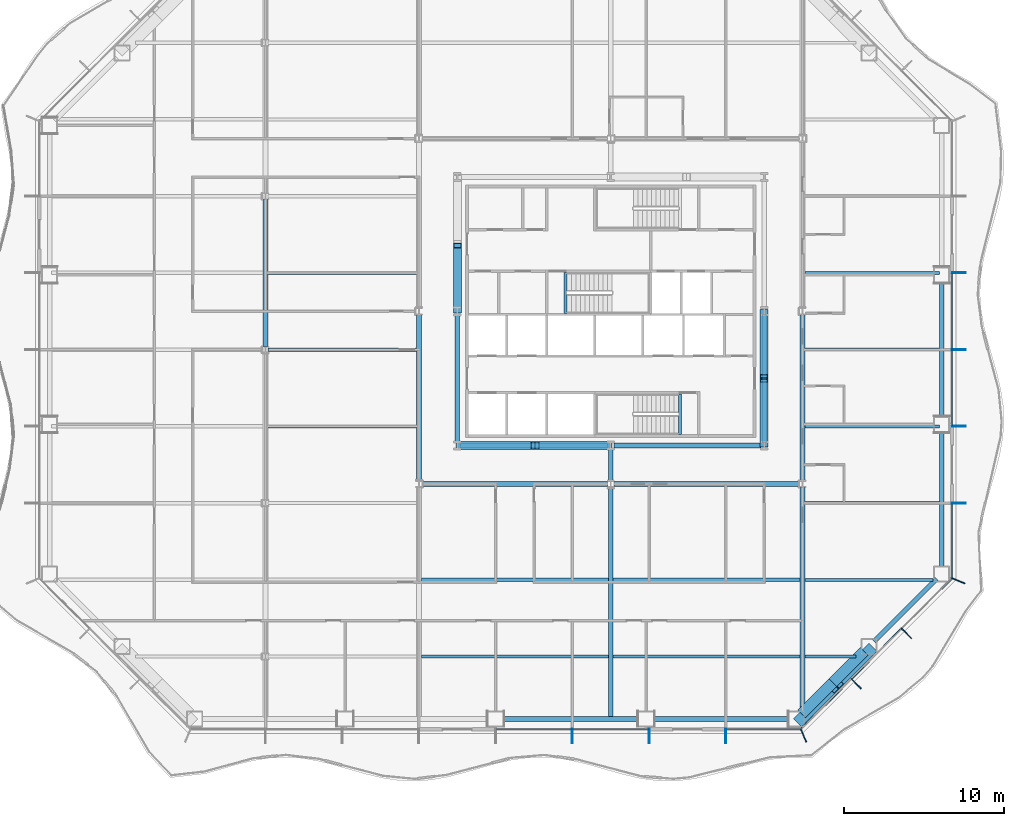
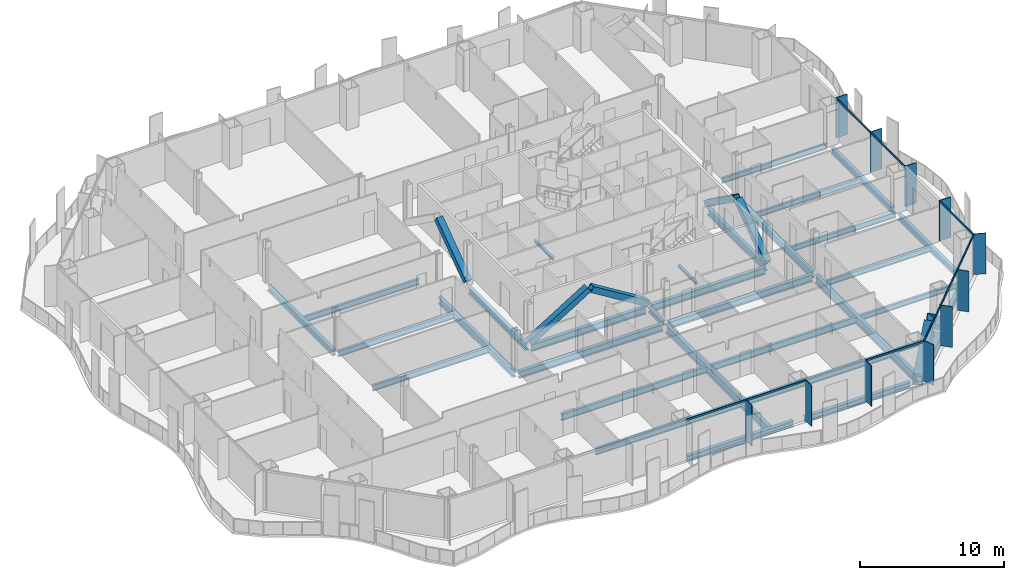
# One storey, part 2 of 21: 34 beams, 27 members, 3 elements without a shape of their own.
"""IFC4 building model written with IfcOpenShell, lengths in metres."""

from ifc_helpers import new_model, si_unit, direction, frame, origin, origin_2d, place, context, subcontext, project, spatial, rectangle, hollow_rectangle, i_section, extrude, material, material_profile, profile_set, type_object, element, aggregate, save


model = new_model("IFC4")

# Units and contexts
model_context = context("Model", 3, precision=1e-05, world=origin(), true_north=direction((0.0, 1.0)))
body_context = subcontext(model_context, "Body", "Model", "MODEL_VIEW")
ifc_project = project(units=[si_unit("LENGTHUNIT", "METRE"), si_unit("AREAUNIT", "SQUARE_METRE"), si_unit("VOLUMEUNIT", "CUBIC_METRE"), si_unit("PLANEANGLEUNIT", "RADIAN"), si_unit("MASSUNIT", "GRAM", prefix="KILO")], contexts=[model_context])

# Site, building, storey
site_placement = place(None, origin())
site = spatial("IfcSite", under=ifc_project, at=site_placement, CompositionType="ELEMENT")
building_placement = place(site_placement, origin())
building = spatial("IfcBuilding", under=site, at=building_placement, Name="Cairn Pilgrim Tower", CompositionType="ELEMENT")
storey_placement = place(building_placement, frame((0.0, 0.0, 54.60009765625)))
storey = spatial("IfcBuildingStorey", under=building, at=storey_placement, Name="L11", CompositionType="ELEMENT", Elevation=54.60009765625)

# Members
ifc_material_1 = material(Name="Structural steel S460M", Category="steel")
ifc_material_profile_1 = material_profile(ifc_material_1, hollow_rectangle(XDim=0.5, YDim=0.5, WallThickness=0.030029296875, at=origin_2d()), Name="BOX 500x500x30")
ifc_profile_set_1 = profile_set([ifc_material_profile_1], Name="Structural steel S460M")
member_type_1 = type_object("IfcMemberType", Name="BOX 500x500x30 BRACE", PredefinedType="BRACE", material=ifc_profile_set_1)
member_1_placement = place(storey_placement, frame((-2.3544921875, -6.0, 0.099853515625), z_axis=(0.850904896844, 0.0, 0.525319765978), x_axis=(0.0, 1.0, 0.0)))
element("IfcMember", 1, at=member_1_placement, inside=storey, type_object=member_type_1, Name="KB-1A", PredefinedType="BRACE", context=body_context, shape_type="SweptSolid", body=[
    extrude(hollow_rectangle(XDim=0.5, YDim=0.5, WallThickness=0.030029296875, at=origin_2d()), origin(), (0.0, 0.0, 1.0), 5.52490234375),
])
member_2_placement = place(storey_placement, frame((7.154541015625, -6.0, 0.099853515625), z_axis=(-0.850919818074, 0.0, 0.52529559603), x_axis=(0.0, -1.0, 0.0)))
element("IfcMember", 2, at=member_2_placement, inside=storey, type_object=member_type_1, Name="KB-1B", PredefinedType="BRACE", context=body_context, shape_type="SweptSolid", body=[
    extrude(hollow_rectangle(XDim=0.5, YDim=0.5, WallThickness=0.030029296875, at=origin_2d()), origin(), (0.0, 0.0, 1.0), 5.375),
])
for number, where, z_axis, x_axis, name in (
    (3, (16.800048828125, -5.95458984375, 0.099853515625), (0.0, 0.814060275911, 0.580780394972), (-1.0, 0.0, 0.0), "KB-2A"),
    (4, (16.800048828125, 2.3544921875, 0.099853515625), (0.0, -0.814043789138, 0.580803503232), (1.0, 0.0, 0.0), "KB-2B"),
    (5, (-2.39990234375, 2.4453125, 0.099853515625), (0.0, 0.814060275911, 0.580780394972), (-1.0, 0.0, 0.0), "KB-4B"),
):
    element("IfcMember", number, at=place(storey_placement, frame(where, z_axis=z_axis, x_axis=x_axis)), inside=storey, type_object=member_type_1, Name=name, PredefinedType="BRACE", context=body_context, shape_type="SweptSolid", body=[
        extrude(hollow_rectangle(XDim=0.5, YDim=0.5, WallThickness=0.030029296875, at=origin_2d()), origin(), (0.0, 0.0, 1.0), 4.9951171875),
    ])
ifc_material_profile_2 = material_profile(ifc_material_1, hollow_rectangle(XDim=0.699951171875, YDim=0.699951171875, WallThickness=0.0400390625, at=origin_2d()), Name="BOX 700x700x40")
ifc_profile_set_2 = profile_set([ifc_material_profile_2], Name="Structural steel S460M")
member_type_2 = type_object("IfcMemberType", Name="BOX 700x700x40 BRACE", PredefinedType="BRACE", material=ifc_profile_set_2)
member_3_placement = place(storey_placement, frame((19.0498046875, -23.181396484375, 0.14990234375), z_axis=(0.528096125699, 0.528096125699, 0.665002980477), x_axis=(-0.707106781187, 0.707106781187, 0.0)))
element("IfcMember", 6, at=member_3_placement, inside=storey, type_object=member_type_2, Name="XB-SE1-SE2-1", PredefinedType="BRACE", context=body_context, shape_type="SweptSolid", body=[
    extrude(hollow_rectangle(XDim=0.699951171875, YDim=0.699951171875, WallThickness=0.0400390625, at=origin_2d()), origin(), (0.0, 0.0, 1.0), 3.89990234375),
])
member_4_placement = place(storey_placement, frame((23.44482421875, -18.786376953125, 0.14990234375), z_axis=(-0.528068439288, -0.528068439288, 0.665046950866), x_axis=(0.707106781187, -0.707106781187, 0.0)))
element("IfcMember", 7, at=member_4_placement, inside=storey, type_object=member_type_2, Name="XB-SE1-SE2-2", PredefinedType="BRACE", context=body_context, shape_type="SweptSolid", body=[
    extrude(hollow_rectangle(XDim=0.699951171875, YDim=0.699951171875, WallThickness=0.0400390625, at=origin_2d()), origin(), (0.0, 0.0, 1.0), 3.899658203125),
])

# Beams
ifc_material_2 = material(Name="Structural steel S355J2", Category="steel")
ifc_material_profile_3 = material_profile(ifc_material_2, hollow_rectangle(XDim=0.699951171875, YDim=0.800048828125, WallThickness=0.0400390625, at=origin_2d()), Name="BOX 700x800x40")
ifc_profile_set_3 = profile_set([ifc_material_profile_3], Name="Structural steel S355J2")
beam_type_1 = type_object("IfcBeamType", Name="BOX 700x800x40 RING GIRDER", PredefinedType="SPANDREL", material=ifc_profile_set_3)
for number, where, z_axis, x_axis, name in (
    (8, (19.1455078125, -22.78173828125, -0.550048828125), (0.707106781187, 0.707106781187, 0.0), (-0.707106781187, 0.707106781187, 0.0), "RG1-SE1-SE2-1"),
    (9, (21.095458984375, -20.831787109375, -0.550048828125), (0.707106781187, 0.707106781187, 0.0), (-0.707106781187, 0.707106781187, 0.0), "RG1-SE1-SE2-2"),
):
    element("IfcBeam", number, at=place(storey_placement, frame(where, z_axis=z_axis, x_axis=x_axis)), inside=storey, type_object=beam_type_1, Name=name, PredefinedType="SPANDREL", context=body_context, shape_type="SweptSolid", body=[
        extrude(hollow_rectangle(XDim=0.699951171875, YDim=0.800048828125, WallThickness=0.0400390625, at=origin_2d()), origin(), (0.0, 0.0, 1.0), 2.757568359375),
    ])

# Curtain wall, members
ifc_material_3 = material(Name="Aluminium alloy 6063-T6 bronze anodised with Bronze tinted laminated low-E glass 8+16+8.8", Category="aluminium")
curtain_wall_type_1 = type_object("IfcCurtainWallType", Name="TOWER STICK CURTAIN WALL NS", PredefinedType="NOTDEFINED", material=ifc_material_3)
curtain_wall_1_placement = place(storey_placement, origin())
curtain_wall_1 = element("IfcCurtainWall", 10, at=curtain_wall_1_placement, inside=storey, type_object=curtain_wall_type_1, Name="Tower Stick Curtain Wall Ns S", PredefinedType="NOTDEFINED")
ifc_material_4 = material(Name="Aluminium alloy 6063-T6 bronze anodised", Category="aluminium")
ifc_material_profile_4 = material_profile(ifc_material_4, rectangle(XDim=0.89990234375, YDim=0.06005859375, at=origin_2d()), Name="FIN MULLION 60x900 BRONZE")
ifc_profile_set_4 = profile_set([ifc_material_profile_4], Name="Aluminium alloy 6063-T6 bronze anodised")
member_type_3 = type_object("IfcMemberType", Name="FIN MULLION 60x900 BRONZE", PredefinedType="MULLION", material=ifc_profile_set_4)
member_5_placement = place(storey_placement, frame((4.800048828125, -24.169921875, 0.0), z_axis=(0.0, 0.0, 1.0), x_axis=(0.0, -1.0, 0.0)))
member_5 = element("IfcMember", 11, at=member_5_placement, type_object=member_type_3, Name="Fin mullion S6", PredefinedType="MULLION", context=body_context, shape_type="SweptSolid", body=[
    extrude(rectangle(XDim=0.89990234375, YDim=0.06005859375, at=origin_2d()), origin(), (0.0, 0.0, 1.0), 3.449951171875),
])
member_6_placement = place(storey_placement, frame((9.60009765625, -24.169921875, 0.0), z_axis=(0.0, 0.0, 1.0), x_axis=(0.0, -1.0, 0.0)))
member_6 = element("IfcMember", 12, at=member_6_placement, type_object=member_type_3, Name="Fin mullion S7", PredefinedType="MULLION", context=body_context, shape_type="SweptSolid", body=[
    extrude(rectangle(XDim=0.89990234375, YDim=0.06005859375, at=origin_2d()), origin(), (0.0, 0.0, 1.0), 3.449951171875),
])
member_7_placement = place(storey_placement, frame((14.39990234375, -24.169921875, 0.0), z_axis=(0.0, 0.0, 1.0), x_axis=(0.0, -1.0, 0.0)))
member_7 = element("IfcMember", 13, at=member_7_placement, type_object=member_type_3, Name="Fin mullion S8", PredefinedType="MULLION", context=body_context, shape_type="SweptSolid", body=[
    extrude(rectangle(XDim=0.89990234375, YDim=0.06005859375, at=origin_2d()), origin(), (0.0, 0.0, 1.0), 3.449951171875),
])

curtain_wall_type_2 = type_object("IfcCurtainWallType", Name="CHAMFER CORNER CURTAIN WALL", PredefinedType="NOTDEFINED", material=ifc_material_3)
curtain_wall_2_placement = place(storey_placement, origin())
curtain_wall_2 = element("IfcCurtainWall", 14, at=curtain_wall_2_placement, inside=storey, type_object=curtain_wall_type_2, Name="Chamfer Corner Curtain Wall SE", PredefinedType="NOTDEFINED")
member_8_placement = place(storey_placement, frame((19.257080078125, -24.137939453125, 0.0), z_axis=(0.0, 0.0, 1.0), x_axis=(0.382683432365, -0.923879532511, 0.0)))
member_8 = element("IfcMember", 15, at=member_8_placement, type_object=member_type_3, Name="Fin mullion SE1", PredefinedType="MULLION", context=body_context, shape_type="SweptSolid", body=[
    extrude(rectangle(XDim=0.89990234375, YDim=0.06005859375, at=origin_2d()), origin(), (0.0, 0.0, 1.0), 3.449951171875),
])
member_9_placement = place(storey_placement, frame((22.544677734375, -20.895751953125, 0.0), z_axis=(0.0, 0.0, 1.0), x_axis=(0.707106781187, -0.707106781187, 0.0)))
member_9 = element("IfcMember", 16, at=member_9_placement, type_object=member_type_3, Name="Fin mullion SE2", PredefinedType="MULLION", context=body_context, shape_type="SweptSolid", body=[
    extrude(rectangle(XDim=0.89990234375, YDim=0.06005859375, at=origin_2d()), origin(), (0.0, 0.0, 1.0), 3.449951171875),
])
member_10_placement = place(storey_placement, frame((25.69580078125, -17.74462890625, 0.0), z_axis=(0.0, 0.0, 1.0), x_axis=(0.707106781187, -0.707106781187, 0.0)))
member_10 = element("IfcMember", 17, at=member_10_placement, type_object=member_type_3, Name="Fin mullion SE3", PredefinedType="MULLION", context=body_context, shape_type="SweptSolid", body=[
    extrude(rectangle(XDim=0.89990234375, YDim=0.06005859375, at=origin_2d()), origin(), (0.0, 0.0, 1.0), 3.449951171875),
])

curtain_wall_type_3 = type_object("IfcCurtainWallType", Name="TOWER STICK CURTAIN WALL EW", PredefinedType="NOTDEFINED", material=ifc_material_3)
curtain_wall_3_placement = place(storey_placement, origin())
curtain_wall_3 = element("IfcCurtainWall", 18, at=curtain_wall_3_placement, inside=storey, type_object=curtain_wall_type_3, Name="Tower Stick Curtain Wall Ew E", PredefinedType="NOTDEFINED")
member_11_placement = place(storey_placement, frame((28.93798828125, -14.457275390625, 0.0), z_axis=(0.0, 0.0, 1.0), x_axis=(0.923879532511, -0.382683432365, 0.0)))
member_11 = element("IfcMember", 19, at=member_11_placement, type_object=member_type_3, Name="Fin mullion E1", PredefinedType="MULLION", context=body_context, shape_type="SweptSolid", body=[
    extrude(rectangle(XDim=0.89990234375, YDim=0.06005859375, at=origin_2d()), origin(), (0.0, 0.0, 1.0), 3.449951171875),
])
member_12_placement = place(storey_placement, frame((28.969970703125, -9.60009765625, 0.0), z_axis=(0.0, 0.0, 1.0), x_axis=(1.0, 0.0, 0.0)))
member_12 = element("IfcMember", 20, at=member_12_placement, type_object=member_type_3, Name="Fin mullion E2", PredefinedType="MULLION", context=body_context, shape_type="SweptSolid", body=[
    extrude(rectangle(XDim=0.89990234375, YDim=0.06005859375, at=origin_2d()), origin(), (0.0, 0.0, 1.0), 3.449951171875),
])
member_13_placement = place(storey_placement, frame((28.969970703125, -4.800048828125, 0.0), z_axis=(0.0, 0.0, 1.0), x_axis=(1.0, 0.0, 0.0)))
member_13 = element("IfcMember", 21, at=member_13_placement, type_object=member_type_3, Name="Fin mullion E3", PredefinedType="MULLION", context=body_context, shape_type="SweptSolid", body=[
    extrude(rectangle(XDim=0.89990234375, YDim=0.06005859375, at=origin_2d()), origin(), (0.0, 0.0, 1.0), 3.449951171875),
])
member_14_placement = place(storey_placement, frame((28.969970703125, 0.0, 0.0), z_axis=(0.0, 0.0, 1.0), x_axis=(1.0, 0.0, 0.0)))
member_14 = element("IfcMember", 22, at=member_14_placement, type_object=member_type_3, Name="Fin mullion E4", PredefinedType="MULLION", context=body_context, shape_type="SweptSolid", body=[
    extrude(rectangle(XDim=0.89990234375, YDim=0.06005859375, at=origin_2d()), origin(), (0.0, 0.0, 1.0), 3.449951171875),
])
member_15_placement = place(storey_placement, frame((28.969970703125, 4.800048828125, 0.0), z_axis=(0.0, 0.0, 1.0), x_axis=(1.0, 0.0, 0.0)))
member_15 = element("IfcMember", 23, at=member_15_placement, type_object=member_type_3, Name="Fin mullion E5", PredefinedType="MULLION", context=body_context, shape_type="SweptSolid", body=[
    extrude(rectangle(XDim=0.89990234375, YDim=0.06005859375, at=origin_2d()), origin(), (0.0, 0.0, 1.0), 3.449951171875),
])

# Beams
ifc_material_profile_5 = material_profile(ifc_material_2, i_section(OverallWidth=0.300048828125, OverallDepth=0.39990234375, WebThickness=0.013427734375, FlangeThickness=0.02392578125, FilletRadius=0.027099609375, at=origin_2d()), Name="HEB 400")
ifc_profile_set_5 = profile_set([ifc_material_profile_5], Name="Structural steel S355J2")
beam_type_2 = type_object("IfcBeamType", Name="HEB 400 GIRDER", PredefinedType="BEAM", material=ifc_profile_set_5)
beam_1_placement = place(storey_placement, frame((7.199951171875, -8.18798828125, -0.35009765625), z_axis=(0.0, 1.0, 0.0), x_axis=(-1.0, 0.0, 0.0)))
element("IfcBeam", 24, at=beam_1_placement, inside=storey, type_object=beam_type_2, Name="PG3-E1", PredefinedType="BEAM", context=body_context, shape_type="SweptSolid", body=[
    extrude(i_section(OverallWidth=0.300048828125, OverallDepth=0.39990234375, WebThickness=0.013427734375, FlangeThickness=0.02392578125, FilletRadius=0.027099609375, at=origin_2d()), origin(), (0.0, 0.0, 1.0), 1.9609375),
])
ifc_material_profile_6 = material_profile(ifc_material_2, i_section(OverallWidth=0.300048828125, OverallDepth=0.5, WebThickness=0.014404296875, FlangeThickness=0.028076171875, FilletRadius=0.027099609375, at=origin_2d()), Name="HEB 500")
ifc_profile_set_6 = profile_set([ifc_material_profile_6], Name="Structural steel S355J2")
beam_type_3 = type_object("IfcBeamType", Name="HEB 500 GIRDER", PredefinedType="BEAM", material=ifc_profile_set_6)
beam_2_placement = place(storey_placement, frame((-14.39990234375, 0.20458984375, -0.400146484375), z_axis=(0.0, 1.0, 0.0), x_axis=(-1.0, 0.0, 0.0)))
element("IfcBeam", 25, at=beam_2_placement, inside=storey, type_object=beam_type_3, Name="PG1-4", PredefinedType="BEAM", context=body_context, shape_type="SweptSolid", body=[
    extrude(i_section(OverallWidth=0.300048828125, OverallDepth=0.5, WebThickness=0.014404296875, FlangeThickness=0.028076171875, FilletRadius=0.027099609375, at=origin_2d()), origin(), (0.0, 0.0, 1.0), 9.19091796875),
])
ifc_material_profile_7 = material_profile(ifc_material_2, i_section(OverallWidth=0.300048828125, OverallDepth=0.5, WebThickness=0.014404296875, FlangeThickness=0.028076171875, FilletRadius=0.027099609375, at=origin_2d()), Name="HEB 500")
ifc_profile_set_7 = profile_set([ifc_material_profile_7], Name="Structural steel S355J2")
beam_type_4 = type_object("IfcBeamType", Name="HEB 500 RING GIRDER", PredefinedType="SPANDREL", material=ifc_profile_set_7)
for number, where, z_axis, x_axis, name in (
    (26, (0.449951171875, -23.10009765625, -0.400146484375), (1.0, 0.0, 0.0), (0.0, 1.0, 0.0), "RG1-S3-S4"),
    (27, (9.863525390625, -23.10009765625, -0.400146484375), (1.0, 0.0, 0.0), (0.0, 1.0, 0.0), "RG1-S4-SE1"),
):
    element("IfcBeam", number, at=place(storey_placement, frame(where, z_axis=z_axis, x_axis=x_axis)), inside=storey, type_object=beam_type_4, Name=name, PredefinedType="SPANDREL", context=body_context, shape_type="SweptSolid", body=[
        extrude(i_section(OverallWidth=0.300048828125, OverallDepth=0.5, WebThickness=0.014404296875, FlangeThickness=0.028076171875, FilletRadius=0.027099609375, at=origin_2d()), origin(), (0.0, 0.0, 1.0), 8.513671875),
    ])
beam_3_placement = place(storey_placement, frame((23.681884765625, -18.245361328125, -0.400146484375), z_axis=(0.707106781187, 0.707106781187, 0.0), x_axis=(-0.707106781187, 0.707106781187, 0.0)))
element("IfcBeam", 28, at=beam_3_placement, inside=storey, type_object=beam_type_4, Name="RG1-SE2-E1", PredefinedType="SPANDREL", context=body_context, shape_type="SweptSolid", body=[
    extrude(i_section(OverallWidth=0.300048828125, OverallDepth=0.5, WebThickness=0.014404296875, FlangeThickness=0.028076171875, FilletRadius=0.027099609375, at=origin_2d()), origin(), (0.0, 0.0, 1.0), 5.515380859375),
])
beam_4_placement = place(storey_placement, frame((27.89990234375, -13.5771484375, -0.400146484375), z_axis=(0.0, 1.0, 0.0), x_axis=(-1.0, 0.0, 0.0)))
element("IfcBeam", 29, at=beam_4_placement, inside=storey, type_object=beam_type_4, Name="RG1-E1-E2", PredefinedType="SPANDREL", context=body_context, shape_type="SweptSolid", body=[
    extrude(i_section(OverallWidth=0.300048828125, OverallDepth=0.5, WebThickness=0.014404296875, FlangeThickness=0.028076171875, FilletRadius=0.027099609375, at=origin_2d()), origin(), (0.0, 0.0, 1.0), 8.451416015625),
])
beam_5_placement = place(storey_placement, frame((27.89990234375, -4.2255859375, -0.400146484375), z_axis=(0.0, 1.0, 0.0), x_axis=(-1.0, 0.0, 0.0)))
element("IfcBeam", 30, at=beam_5_placement, inside=storey, type_object=beam_type_4, Name="RG1-E2-E3", PredefinedType="SPANDREL", context=body_context, shape_type="SweptSolid", body=[
    extrude(i_section(OverallWidth=0.300048828125, OverallDepth=0.5, WebThickness=0.014404296875, FlangeThickness=0.028076171875, FilletRadius=0.027099609375, at=origin_2d()), origin(), (0.0, 0.0, 1.0), 8.451171875),
])
ifc_material_profile_8 = material_profile(ifc_material_2, i_section(OverallWidth=0.300048828125, OverallDepth=0.60009765625, WebThickness=0.015380859375, FlangeThickness=0.030029296875, FilletRadius=0.027099609375, at=origin_2d()), Name="HEB 600")
ifc_profile_set_8 = profile_set([ifc_material_profile_8], Name="Structural steel S355J2")
beam_type_5 = type_object("IfcBeamType", Name="HEB 600 CORE BEAM", PredefinedType="BEAM", material=ifc_profile_set_8)
for number, where, z_axis, x_axis, name in (
    (31, (-2.19580078125, -6.0, -0.4501953125), (1.0, 0.0, 0.0), (0.0, 1.0, 0.0), "CB-1"),
    (32, (7.404296875, -6.0, -0.4501953125), (1.0, 0.0, 0.0), (0.0, 1.0, 0.0), "CB-2"),
):
    element("IfcBeam", number, at=place(storey_placement, frame(where, z_axis=z_axis, x_axis=x_axis)), inside=storey, type_object=beam_type_5, Name=name, PredefinedType="BEAM", context=body_context, shape_type="SweptSolid", body=[
        extrude(i_section(OverallWidth=0.300048828125, OverallDepth=0.60009765625, WebThickness=0.015380859375, FlangeThickness=0.030029296875, FilletRadius=0.027099609375, at=origin_2d()), origin(), (0.0, 0.0, 1.0), 9.19140625),
    ])
for number, where, z_axis, x_axis, name in (
    (33, (16.800048828125, -5.795654296875, -0.4501953125), (0.0, 1.0, 0.0), (-1.0, 0.0, 0.0), "CB-3"),
    (34, (-2.39990234375, 2.19580078125, -0.4501953125), (0.0, -1.0, 0.0), (1.0, 0.0, 0.0), "CB-8"),
):
    element("IfcBeam", number, at=place(storey_placement, frame(where, z_axis=z_axis, x_axis=x_axis)), inside=storey, type_object=beam_type_5, Name=name, PredefinedType="BEAM", context=body_context, shape_type="SweptSolid", body=[
        extrude(i_section(OverallWidth=0.300048828125, OverallDepth=0.60009765625, WebThickness=0.015380859375, FlangeThickness=0.030029296875, FilletRadius=0.027099609375, at=origin_2d()), origin(), (0.0, 0.0, 1.0), 7.991455078125),
    ])
ifc_material_profile_9 = material_profile(ifc_material_2, i_section(OverallWidth=0.300048828125, OverallDepth=0.60009765625, WebThickness=0.015380859375, FlangeThickness=0.030029296875, FilletRadius=0.027099609375, at=origin_2d()), Name="HEB 600")
ifc_profile_set_9 = profile_set([ifc_material_profile_9], Name="Structural steel S355J2")
beam_type_6 = type_object("IfcBeamType", Name="HEB 600 GIRDER", PredefinedType="BEAM", material=ifc_profile_set_9)
for number, where, z_axis, x_axis, name in (
    (35, (-4.800048828125, -8.18798828125, -0.4501953125), (0.0, 1.0, 0.0), (-1.0, 0.0, 0.0), "PG2-2"),
    (36, (19.199951171875, -8.18798828125, -0.4501953125), (0.0, 1.0, 0.0), (-1.0, 0.0, 0.0), "PG4-2"),
):
    element("IfcBeam", number, at=place(storey_placement, frame(where, z_axis=z_axis, x_axis=x_axis)), inside=storey, type_object=beam_type_6, Name=name, PredefinedType="BEAM", context=body_context, shape_type="SweptSolid", body=[
        extrude(i_section(OverallWidth=0.300048828125, OverallDepth=0.60009765625, WebThickness=0.015380859375, FlangeThickness=0.030029296875, FilletRadius=0.027099609375, at=origin_2d()), origin(), (0.0, 0.0, 1.0), 10.3759765625),
    ])
ifc_material_profile_10 = material_profile(ifc_material_2, i_section(OverallWidth=0.300048828125, OverallDepth=0.60009765625, WebThickness=0.015380859375, FlangeThickness=0.030029296875, FilletRadius=0.027099609375, at=origin_2d()), Name="HEB 600")
ifc_profile_set_10 = profile_set([ifc_material_profile_10], Name="Structural steel S355J2")
beam_type_7 = type_object("IfcBeamType", Name="HEB 600 INNER GIRDER", PredefinedType="BEAM", material=ifc_profile_set_10)
for number, where, z_axis, x_axis, name in (
    (37, (-4.587890625, -8.39990234375, -0.4501953125), (1.0, 0.0, 0.0), (0.0, 1.0, 0.0), "IG1-1"),
    (38, (7.412109375, -8.39990234375, -0.4501953125), (1.0, 0.0, 0.0), (0.0, 1.0, 0.0), "IG1-2"),
):
    element("IfcBeam", number, at=place(storey_placement, frame(where, z_axis=z_axis, x_axis=x_axis)), inside=storey, type_object=beam_type_7, Name=name, PredefinedType="BEAM", context=body_context, shape_type="SweptSolid", body=[
        extrude(i_section(OverallWidth=0.300048828125, OverallDepth=0.60009765625, WebThickness=0.015380859375, FlangeThickness=0.030029296875, FilletRadius=0.027099609375, at=origin_2d()), origin(), (0.0, 0.0, 1.0), 11.575927734375),
    ])
ifc_material_profile_11 = material_profile(ifc_material_2, i_section(OverallWidth=0.300048828125, OverallDepth=0.699951171875, WebThickness=0.01708984375, FlangeThickness=0.031982421875, FilletRadius=0.027099609375, at=origin_2d()), Name="HEB 700")
ifc_profile_set_11 = profile_set([ifc_material_profile_11], Name="Structural steel S355J2")
beam_type_8 = type_object("IfcBeamType", Name="HEB 700 GIRDER", PredefinedType="BEAM", material=ifc_profile_set_11)
beam_6_placement = place(storey_placement, frame((7.199951171875, -22.97998046875, -0.5), z_axis=(0.0, 1.0, 0.0), x_axis=(-1.0, 0.0, 0.0)))
element("IfcBeam", 39, at=beam_6_placement, inside=storey, type_object=beam_type_8, Name="PG3-1", PredefinedType="BEAM", context=body_context, shape_type="SweptSolid", body=[
    extrude(i_section(OverallWidth=0.300048828125, OverallDepth=0.699951171875, WebThickness=0.01708984375, FlangeThickness=0.031982421875, FilletRadius=0.027099609375, at=origin_2d()), origin(), (0.0, 0.0, 1.0), 14.367919921875),
])
beam_7_placement = place(storey_placement, frame((19.199951171875, -22.545166015625, -0.5), z_axis=(0.0, 1.0, 0.0), x_axis=(-1.0, 0.0, 0.0)))
element("IfcBeam", 40, at=beam_7_placement, inside=storey, type_object=beam_type_8, Name="PG4-1", PredefinedType="BEAM", context=body_context, shape_type="SweptSolid", body=[
    extrude(i_section(OverallWidth=0.300048828125, OverallDepth=0.699951171875, WebThickness=0.01708984375, FlangeThickness=0.031982421875, FilletRadius=0.027099609375, at=origin_2d()), origin(), (0.0, 0.0, 1.0), 13.93310546875),
])
ifc_material_profile_12 = material_profile(ifc_material_2, i_section(OverallWidth=0.169921875, OverallDepth=0.360107421875, WebThickness=0.008056640625, FlangeThickness=0.0126953125, FilletRadius=0.01806640625, at=origin_2d()), Name="IPE 360")
ifc_profile_set_12 = profile_set([ifc_material_profile_12], Name="Structural steel S355J2")
beam_type_9 = type_object("IfcBeamType", Name="IPE 360 SECONDARY BEAM", PredefinedType="JOIST", material=ifc_profile_set_12)
beam_8_placement = place(storey_placement, frame((19.35009765625, -19.199951171875, -0.330078125), z_axis=(1.0, 0.0, 0.0), x_axis=(0.0, 1.0, 0.0)))
element("IfcBeam", 41, at=beam_8_placement, inside=storey, type_object=beam_type_9, Name="SB1-5", PredefinedType="JOIST", context=body_context, shape_type="SweptSolid", body=[
    extrude(i_section(OverallWidth=0.169921875, OverallDepth=0.360107421875, WebThickness=0.008056640625, FlangeThickness=0.0126953125, FilletRadius=0.01806640625, at=origin_2d()), origin(), (0.0, 0.0, 1.0), 3.195068359375),
])
ifc_material_profile_13 = material_profile(ifc_material_2, i_section(OverallWidth=0.18994140625, OverallDepth=0.449951171875, WebThickness=0.009521484375, FlangeThickness=0.0146484375, FilletRadius=0.02099609375, at=origin_2d()), Name="IPE 450")
ifc_profile_set_13 = profile_set([ifc_material_profile_13], Name="Structural steel S355J2")
beam_type_10 = type_object("IfcBeamType", Name="IPE 450 SECONDARY BEAM", PredefinedType="JOIST", material=ifc_profile_set_13)
beam_9_placement = place(storey_placement, frame((19.35009765625, -14.39990234375, -0.375), z_axis=(1.0, 0.0, 0.0), x_axis=(0.0, 1.0, 0.0)))
element("IfcBeam", 42, at=beam_9_placement, inside=storey, type_object=beam_type_10, Name="SB2-5", PredefinedType="JOIST", context=body_context, shape_type="SweptSolid", body=[
    extrude(i_section(OverallWidth=0.18994140625, OverallDepth=0.449951171875, WebThickness=0.009521484375, FlangeThickness=0.0146484375, FilletRadius=0.02099609375, at=origin_2d()), origin(), (0.0, 0.0, 1.0), 7.9951171875),
])
for number, where, z_axis, x_axis, name in (
    (43, (19.35009765625, -9.60009765625, -0.375), (1.0, 0.0, 0.0), (0.0, 1.0, 0.0), "SB3-3"),
    (44, (19.35009765625, -4.800048828125, -0.375), (1.0, 0.0, 0.0), (0.0, 1.0, 0.0), "SB4-3"),
    (45, (19.35009765625, 0.0, -0.375), (1.0, 0.0, 0.0), (0.0, 1.0, 0.0), "SB5-3"),
    (46, (19.35009765625, 4.800048828125, -0.375), (1.0, 0.0, 0.0), (0.0, 1.0, 0.0), "SB6-3"),
):
    element("IfcBeam", number, at=place(storey_placement, frame(where, z_axis=z_axis, x_axis=x_axis)), inside=storey, type_object=beam_type_10, Name=name, PredefinedType="JOIST", context=body_context, shape_type="SweptSolid", body=[
        extrude(i_section(OverallWidth=0.18994140625, OverallDepth=0.449951171875, WebThickness=0.009521484375, FlangeThickness=0.0146484375, FilletRadius=0.02099609375, at=origin_2d()), origin(), (0.0, 0.0, 1.0), 8.429931640625),
    ])
ifc_material_profile_14 = material_profile(ifc_material_2, i_section(OverallWidth=0.199951171875, OverallDepth=0.5, WebThickness=0.01025390625, FlangeThickness=0.01611328125, FilletRadius=0.02099609375, at=origin_2d()), Name="IPE 500")
ifc_profile_set_14 = profile_set([ifc_material_profile_14], Name="Structural steel S355J2")
beam_type_11 = type_object("IfcBeamType", Name="IPE 500 SECONDARY BEAM", PredefinedType="JOIST", material=ifc_profile_set_14)
for number, where, z_axis, x_axis, name in (
    (47, (-14.25, -4.800048828125, -0.400146484375), (1.0, 0.0, 0.0), (0.0, 1.0, 0.0), "SB4-2"),
    (48, (-14.25, 0.0, -0.400146484375), (1.0, 0.0, 0.0), (0.0, 1.0, 0.0), "SB5-2"),
    (49, (-14.25, 4.800048828125, -0.400146484375), (1.0, 0.0, 0.0), (0.0, 1.0, 0.0), "SB6-2"),
):
    element("IfcBeam", number, at=place(storey_placement, frame(where, z_axis=z_axis, x_axis=x_axis)), inside=storey, type_object=beam_type_11, Name=name, PredefinedType="JOIST", context=body_context, shape_type="SweptSolid", body=[
        extrude(i_section(OverallWidth=0.199951171875, OverallDepth=0.5, WebThickness=0.01025390625, FlangeThickness=0.01611328125, FilletRadius=0.02099609375, at=origin_2d()), origin(), (0.0, 0.0, 1.0), 9.300048828125),
    ])
ifc_material_profile_15 = material_profile(ifc_material_2, i_section(OverallWidth=0.2099609375, OverallDepth=0.550048828125, WebThickness=0.010986328125, FlangeThickness=0.01708984375, FilletRadius=0.02392578125, at=origin_2d()), Name="IPE 550")
ifc_profile_set_15 = profile_set([ifc_material_profile_15], Name="Structural steel S355J2")
beam_type_12 = type_object("IfcBeamType", Name="IPE 550 SECONDARY BEAM", PredefinedType="JOIST", material=ifc_profile_set_15)
for number, where, z_axis, x_axis, name in (
    (50, (-4.64990234375, -19.199951171875, -0.425048828125), (1.0, 0.0, 0.0), (0.0, 1.0, 0.0), "SB1-3"),
    (51, (7.35009765625, -19.199951171875, -0.425048828125), (1.0, 0.0, 0.0), (0.0, 1.0, 0.0), "SB1-4"),
    (52, (-4.64990234375, -14.39990234375, -0.425048828125), (1.0, 0.0, 0.0), (0.0, 1.0, 0.0), "SB2-3"),
    (53, (7.35009765625, -14.39990234375, -0.425048828125), (1.0, 0.0, 0.0), (0.0, 1.0, 0.0), "SB2-4"),
):
    element("IfcBeam", number, at=place(storey_placement, frame(where, z_axis=z_axis, x_axis=x_axis)), inside=storey, type_object=beam_type_12, Name=name, PredefinedType="JOIST", context=body_context, shape_type="SweptSolid", body=[
        extrude(i_section(OverallWidth=0.2099609375, OverallDepth=0.550048828125, WebThickness=0.010986328125, FlangeThickness=0.01708984375, FilletRadius=0.02392578125, at=origin_2d()), origin(), (0.0, 0.0, 1.0), 11.699951171875),
    ])
ifc_material_profile_16 = material_profile(ifc_material_2, i_section(OverallWidth=0.199951171875, OverallDepth=0.199951171875, WebThickness=0.009033203125, FlangeThickness=0.014892578125, FilletRadius=0.01806640625, at=origin_2d()), Name="HE 200 B")
ifc_profile_set_16 = profile_set([ifc_material_profile_16], Name="Structural steel S355J2")
beam_type_13 = type_object("IfcBeamType", Name="STAIR LANDING BEAM HE 200 B", PredefinedType="BEAM", material=ifc_profile_set_16)
beam_10_placement = place(storey_placement, frame((11.5244140625, -2.77490234375, -0.25), z_axis=(0.0, -1.0, 0.0), x_axis=(1.0, 0.0, 0.0)))
element("IfcBeam", 54, at=beam_10_placement, inside=storey, type_object=beam_type_13, Name="STAIR LANDING BEAM LD-HE200B", PredefinedType="BEAM", context=body_context, shape_type="SweptSolid", body=[
    extrude(i_section(OverallWidth=0.199951171875, OverallDepth=0.199951171875, WebThickness=0.009033203125, FlangeThickness=0.014892578125, FilletRadius=0.01806640625, at=origin_2d()), origin(), (0.0, 0.0, 1.0), 2.525146484375),
])
beam_11_placement = place(storey_placement, frame((4.37548828125, 2.27490234375, -0.25), z_axis=(0.0, 1.0, 0.0), x_axis=(-1.0, 0.0, 0.0)))
element("IfcBeam", 55, at=beam_11_placement, inside=storey, type_object=beam_type_13, Name="STAIR LANDING BEAM LD-HE200B", PredefinedType="BEAM", context=body_context, shape_type="SweptSolid", body=[
    extrude(i_section(OverallWidth=0.199951171875, OverallDepth=0.199951171875, WebThickness=0.009033203125, FlangeThickness=0.014892578125, FilletRadius=0.01806640625, at=origin_2d()), origin(), (0.0, 0.0, 1.0), 2.550048828125),
])

# Member
ifc_material_profile_17 = material_profile(ifc_material_4, rectangle(XDim=0.080078125, YDim=0.14990234375, at=origin_2d()), Name="TRANSOM 80x150 BRONZE")
ifc_profile_set_17 = profile_set([ifc_material_profile_17], Name="Aluminium alloy 6063-T6 bronze anodised")
member_type_4 = type_object("IfcMemberType", Name="TRANSOM 80x150 BRONZE", PredefinedType="USERDEFINED", material=ifc_profile_set_17)
member_16_placement = place(storey_placement, frame((0.030029296875, -23.75, 3.375), z_axis=(1.0, 0.0, 0.0), x_axis=(0.0, 1.0, 0.0)))
member_16 = element("IfcMember", 56, at=member_16_placement, type_object=member_type_4, Name="Transom S5", ObjectType="TRANSOM", PredefinedType="USERDEFINED", context=body_context, shape_type="SweptSolid", body=[
    extrude(rectangle(XDim=0.080078125, YDim=0.14990234375, at=origin_2d()), origin(), (0.0, 0.0, 1.0), 4.739990234375),
])

member_17_placement = place(storey_placement, frame((4.830078125, -23.75, 3.375), z_axis=(1.0, 0.0, 0.0), x_axis=(0.0, 1.0, 0.0)))
member_17 = element("IfcMember", 57, at=member_17_placement, type_object=member_type_4, Name="Transom S6", ObjectType="TRANSOM", PredefinedType="USERDEFINED", context=body_context, shape_type="SweptSolid", body=[
    extrude(rectangle(XDim=0.080078125, YDim=0.14990234375, at=origin_2d()), origin(), (0.0, 0.0, 1.0), 4.739990234375),
])

member_18_placement = place(storey_placement, frame((14.429931640625, -23.75, 3.375), z_axis=(1.0, 0.0, 0.0), x_axis=(0.0, 1.0, 0.0)))
member_18 = element("IfcMember", 58, at=member_18_placement, type_object=member_type_4, Name="Transom S8", ObjectType="TRANSOM", PredefinedType="USERDEFINED", context=body_context, shape_type="SweptSolid", body=[
    extrude(rectangle(XDim=0.080078125, YDim=0.14990234375, at=origin_2d()), origin(), (0.0, 0.0, 1.0), 4.62646484375),
])

aggregate(curtain_wall_1, [member_5, member_6, member_7, member_16, member_17, member_18])

member_19_placement = place(storey_placement, frame((19.124755859375, -23.7216796875, 3.375), z_axis=(0.707106781187, 0.707106781187, 0.0), x_axis=(-0.707106781187, 0.707106781187, 0.0)))
member_19 = element("IfcMember", 59, at=member_19_placement, type_object=member_type_4, Name="Transom SE1", ObjectType="TRANSOM", PredefinedType="USERDEFINED", context=body_context, shape_type="SweptSolid", body=[
    extrude(rectangle(XDim=0.080078125, YDim=0.14990234375, at=origin_2d()), origin(), (0.0, 0.0, 1.0), 4.38623046875),
])

member_20_placement = place(storey_placement, frame((22.268798828125, -20.57763671875, 3.375), z_axis=(0.707106781187, 0.707106781187, 0.0), x_axis=(-0.707106781187, 0.707106781187, 0.0)))
member_20 = element("IfcMember", 60, at=member_20_placement, type_object=member_type_4, Name="Transom SE2", ObjectType="TRANSOM", PredefinedType="USERDEFINED", context=body_context, shape_type="SweptSolid", body=[
    extrude(rectangle(XDim=0.080078125, YDim=0.14990234375, at=origin_2d()), origin(), (0.0, 0.0, 1.0), 4.396728515625),
])

member_21_placement = place(storey_placement, frame((25.419921875, -17.426513671875, 3.375), z_axis=(0.707106781187, 0.707106781187, 0.0), x_axis=(-0.707106781187, 0.707106781187, 0.0)))
member_21 = element("IfcMember", 61, at=member_21_placement, type_object=member_type_4, Name="Transom SE3", ObjectType="TRANSOM", PredefinedType="USERDEFINED", context=body_context, shape_type="SweptSolid", body=[
    extrude(rectangle(XDim=0.080078125, YDim=0.14990234375, at=origin_2d()), origin(), (0.0, 0.0, 1.0), 4.38671875),
])

aggregate(curtain_wall_2, [member_8, member_9, member_10, member_19, member_20, member_21])

member_22_placement = place(storey_placement, frame((28.550048828125, -14.25634765625, 3.375), z_axis=(0.0, 1.0, 0.0), x_axis=(-1.0, 0.0, 0.0)))
member_22 = element("IfcMember", 62, at=member_22_placement, type_object=member_type_4, Name="Transom E1", ObjectType="TRANSOM", PredefinedType="USERDEFINED", context=body_context, shape_type="SweptSolid", body=[
    extrude(rectangle(XDim=0.080078125, YDim=0.14990234375, at=origin_2d()), origin(), (0.0, 0.0, 1.0), 4.62646484375),
])

member_23_placement = place(storey_placement, frame((28.550048828125, -4.77001953125, 3.375), z_axis=(0.0, 1.0, 0.0), x_axis=(-1.0, 0.0, 0.0)))
member_23 = element("IfcMember", 63, at=member_23_placement, type_object=member_type_4, Name="Transom E3", ObjectType="TRANSOM", PredefinedType="USERDEFINED", context=body_context, shape_type="SweptSolid", body=[
    extrude(rectangle(XDim=0.080078125, YDim=0.14990234375, at=origin_2d()), origin(), (0.0, 0.0, 1.0), 4.739990234375),
])

member_24_placement = place(storey_placement, frame((28.550048828125, 0.030029296875, 3.375), z_axis=(0.0, 1.0, 0.0), x_axis=(-1.0, 0.0, 0.0)))
member_24 = element("IfcMember", 64, at=member_24_placement, type_object=member_type_4, Name="Transom E4", ObjectType="TRANSOM", PredefinedType="USERDEFINED", context=body_context, shape_type="SweptSolid", body=[
    extrude(rectangle(XDim=0.080078125, YDim=0.14990234375, at=origin_2d()), origin(), (0.0, 0.0, 1.0), 4.739990234375),
])

aggregate(curtain_wall_3, [member_11, member_12, member_13, member_14, member_15, member_22, member_23, member_24])

save(model, "model.ifc")
